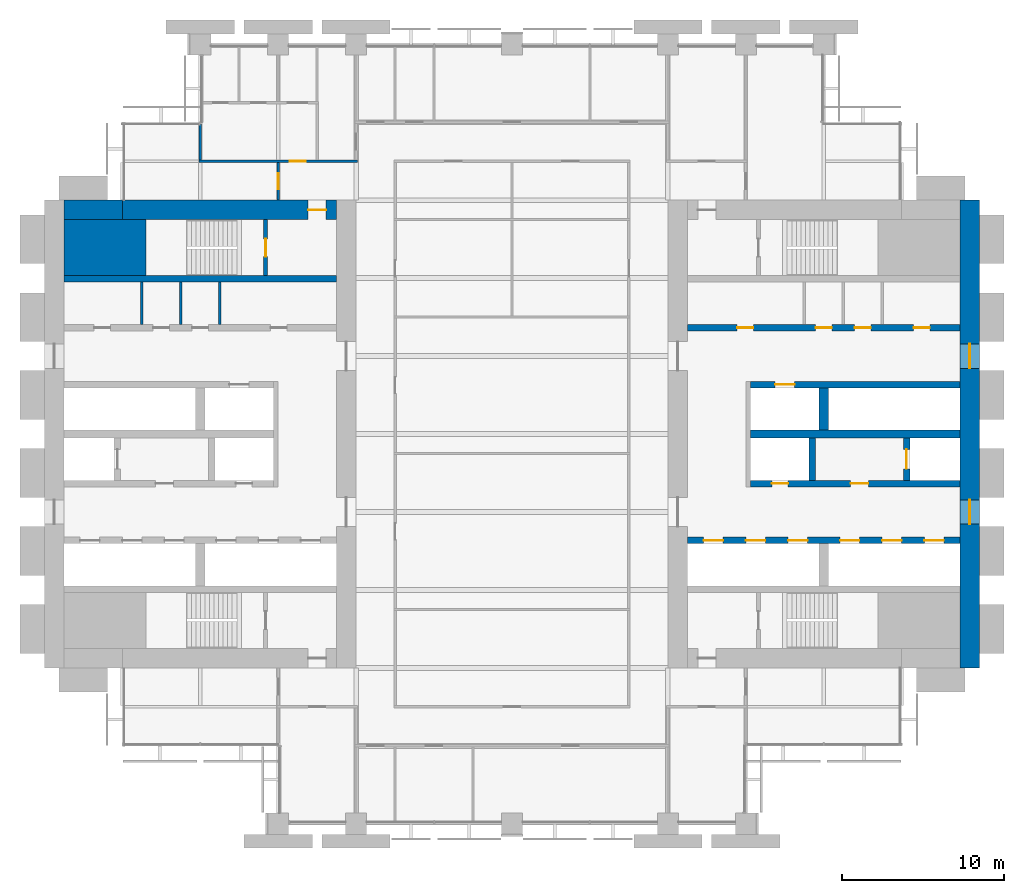
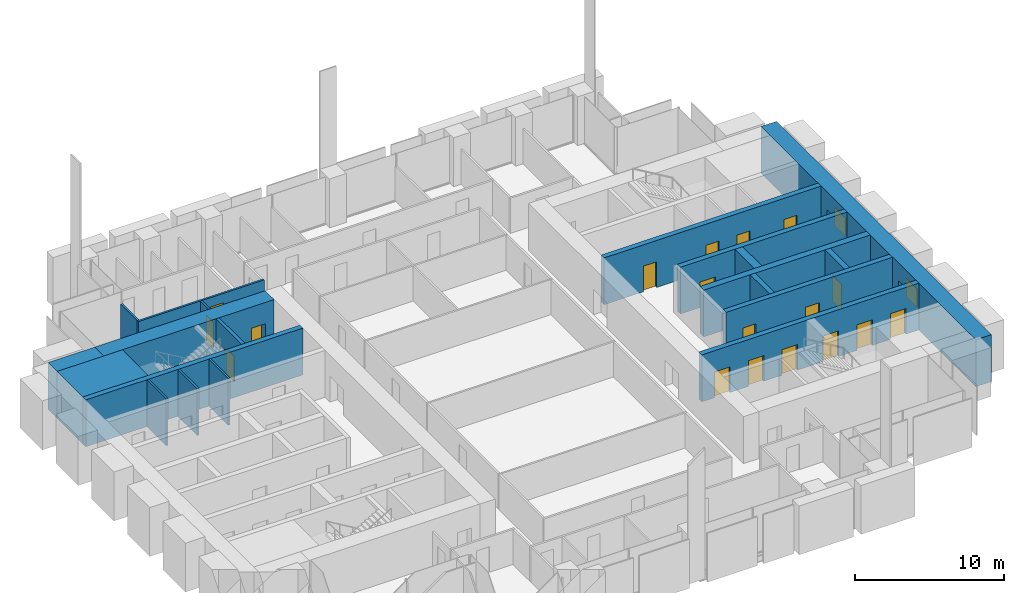
# One storey, part 11 of 14: 20 walls, 18 doors, 2 windows, 20 openings.
"""IFC4 building model written with IfcOpenShell, lengths in metres."""

from ifc_helpers import new_model, si_unit, direction, frame, frame_2d, origin, place, context, subcontext, project, spatial, rectangle, extrude, material, layer, layer_set, type_object, element, fill, save


model = new_model("IFC4")

# Units and contexts
model_context = context("Model", 3, precision=1e-05, world=origin(), true_north=direction((0.0, 1.0)))
body_context = subcontext(model_context, "Body", "Model", "MODEL_VIEW")
ifc_project = project(units=[si_unit("LENGTHUNIT", "METRE"), si_unit("AREAUNIT", "SQUARE_METRE"), si_unit("VOLUMEUNIT", "CUBIC_METRE"), si_unit("PLANEANGLEUNIT", "RADIAN"), si_unit("MASSUNIT", "GRAM", prefix="KILO")], contexts=[model_context])

# Site, building, storey
site_placement = place(None, origin())
site = spatial("IfcSite", under=ifc_project, at=site_placement, CompositionType="ELEMENT")
building_placement = place(site_placement, origin())
building = spatial("IfcBuilding", under=site, at=building_placement, Name="Baori Bourse Tower", CompositionType="ELEMENT")
storey_placement = place(building_placement, frame((0.0, 0.0, 63.0)))
storey = spatial("IfcBuildingStorey", under=building, at=storey_placement, Name="L13", CompositionType="ELEMENT", Elevation=63.0)

# Walls
ifc_material_1 = material(Name="Concrete f'c 70 MPa", Category="concrete")
wall_type_1 = type_object("IfcWallType", Name="Core corner block f'c 70", PredefinedType="SHEAR", material=ifc_material_1)
wall_1_placement = place(storey_placement, frame((1.199951171875, 35.47509765625, 0.0), z_axis=(0.0, 0.0, 1.0), x_axis=(1.0, 0.0, 0.0)))
element("IfcWall", 1, at=wall_1_placement, inside=storey, type_object=wall_type_1, Name="Core wall W22", PredefinedType="SHEAR", context=body_context, shape_type="SweptSolid", body=[
    extrude(rectangle(XDim=5.050048828125, YDim=3.449951171875, at=frame_2d((2.52490234375, 0.0))), origin(), (0.0, 0.0, 1.0), 3.840087890625),
])
ifc_material_2 = material(Name="Blockwork partition", Category="masonry")
ifc_layer_1 = layer(ifc_material_2, 0.14990234375)
ifc_layer_set_1 = layer_set([ifc_layer_1], Name="Core partition 150")
wall_type_2 = type_object("IfcWallType", Name="Core partition 150", PredefinedType="PARTITIONING", material=ifc_layer_set_1)
for number, where, z_axis, x_axis, name in (
    (2, (6.0, 30.75, 0.0), (0.0, 0.0, 1.0), (0.0, 1.0, 0.0), "Partition wall W18"),
    (3, (8.39990234375, 30.75, 0.0), (0.0, 0.0, 1.0), (0.0, 1.0, 0.0), "Partition wall W19"),
    (4, (10.800048828125, 30.75, 0.0), (0.0, 0.0, 1.0), (0.0, 1.0, 0.0), "Partition wall W20"),
):
    element("IfcWall", number, at=place(storey_placement, frame(where, z_axis=z_axis, x_axis=x_axis)), inside=storey, type_object=wall_type_2, Name=name, PredefinedType="PARTITIONING", context=body_context, shape_type="SweptSolid", body=[
        extrude(rectangle(XDim=2.60009765625, YDim=0.14990234375, at=frame_2d((1.300048828125, 0.0))), origin(), (0.0, 0.0, 1.0), 3.840087890625),
    ])
ifc_material_3 = material(Name="Concrete f'c 70 MPa", Category="concrete")
ifc_layer_2 = layer(ifc_material_3, 1.199951171875)
ifc_layer_set_2 = layer_set([ifc_layer_2], Name="Core wall 1200 f'c 70")
wall_type_3 = type_object("IfcWallType", Name="Core wall 1200 f'c 70", PredefinedType="SHEAR", material=ifc_layer_set_2)
wall_2_placement = place(storey_placement, frame((1.199951171875, 37.800048828125, 0.0), z_axis=(0.0, 0.0, 1.0), x_axis=(1.0, 0.0, 0.0)))
element("IfcWall", 5, at=wall_2_placement, inside=storey, type_object=wall_type_3, Name="Core wall W24", PredefinedType="SHEAR", context=body_context, shape_type="SweptSolid", body=[
    extrude(rectangle(XDim=3.60009765625, YDim=1.199951171875, at=frame_2d((1.800048828125, 0.0))), origin(), (0.0, 0.0, 1.0), 3.840087890625),
])

# Wall, opening, door
wall_3_placement = place(storey_placement, frame((4.800048828125, 37.800048828125, 0.0), z_axis=(0.0, 0.0, 1.0), x_axis=(1.0, 0.0, 0.0)))
wall_3 = element("IfcWall", 6, at=wall_3_placement, inside=storey, type_object=wall_type_3, Name="Core wall W25", PredefinedType="SHEAR", context=body_context, shape_type="SweptSolid", body=[
    extrude(rectangle(XDim=13.199951171875, YDim=1.199951171875, at=frame_2d((6.60009765625, 0.0))), origin(), (0.0, 0.0, 1.0), 3.840087890625),
])
opening_1_placement = place(wall_3_placement, frame((11.449951171875, 0.0, 0.0)))
opening_1 = element("IfcOpeningElement", 7, at=opening_1_placement, cuts=wall_3, Name="Opening L13-D104", PredefinedType="OPENING", context=body_context, shape_type="SweptSolid", body=[
    extrude(rectangle(XDim=1.10009765625, YDim=2.10009765625, at=frame_2d((0.550048828125, 1.050048828125))), frame((0.0, 0.60986328125, 0.0), z_axis=(0.0, -1.0, 0.0), x_axis=(1.0, 0.0, 0.0)), (0.0, 0.0, 1.0), 1.219970703125),
])
ifc_material_4 = material(Name="Painted steel door", Category="steel")
door_type_1 = type_object("IfcDoorType", Name="Stair door 1100", OperationType="SINGLE_SWING_LEFT", PredefinedType="DOOR", material=ifc_material_4)
door_1_placement = place(opening_1_placement, origin())
door_1 = element("IfcDoor", 8, at=door_1_placement, inside=storey, type_object=door_type_1, Name="Stair vestibule door B W L13", OperationType="SINGLE_SWING_LEFT", OverallHeight=2.10009765625, OverallWidth=1.10009765625, PredefinedType="DOOR", context=body_context, shape_type="SweptSolid", body=[
    extrude(rectangle(XDim=1.10009765625, YDim=2.10009765625, at=frame_2d((0.550048828125, 1.050048828125))), frame((0.0, 0.02490234375, 0.0), z_axis=(0.0, -1.0, 0.0), x_axis=(1.0, 0.0, 0.0)), (0.0, 0.0, 1.0), 0.050048828125),
])
fill(opening_1, door_1)

# Wall, openings, windows
wall_4_placement = place(storey_placement, frame((57.0, 38.39990234375, 0.0), z_axis=(0.0, 0.0, 1.0), x_axis=(0.0, -1.0, 0.0)))
wall_4 = element("IfcWall", 9, at=wall_4_placement, inside=storey, type_object=wall_type_3, Name="Core wall E01", PredefinedType="SHEAR", context=body_context, shape_type="SweptSolid", body=[
    extrude(rectangle(XDim=28.7998046875, YDim=1.199951171875, at=frame_2d((14.39990234375, 0.0))), origin(), (0.0, 0.0, 1.0), 3.840087890625),
])
opening_2_placement = place(wall_4_placement, frame((18.449951171875, 0.0, 0.89990234375)))
opening_2 = element("IfcOpeningElement", 10, at=opening_2_placement, cuts=wall_4, Name="Opening L13-KW201", PredefinedType="OPENING", context=body_context, shape_type="SweptSolid", body=[
    extrude(rectangle(XDim=1.5, YDim=1.5, at=frame_2d((0.75, 0.75))), frame((0.0, 0.60986328125, 0.0), z_axis=(0.0, -1.0, 0.0), x_axis=(1.0, 0.0, 0.0)), (0.0, 0.0, 1.0), 1.219970703125),
])
opening_3_placement = place(wall_4_placement, frame((8.85009765625, 0.0, 0.89990234375)))
opening_3 = element("IfcOpeningElement", 11, at=opening_3_placement, cuts=wall_4, Name="Opening L13-KW202", PredefinedType="OPENING", context=body_context, shape_type="SweptSolid", body=[
    extrude(rectangle(XDim=1.5, YDim=1.5, at=frame_2d((0.75, 0.75))), frame((0.0, 0.60986328125, 0.0), z_axis=(0.0, -1.0, 0.0), x_axis=(1.0, 0.0, 0.0)), (0.0, 0.0, 1.0), 1.219970703125),
])
ifc_material_5 = material(Name="Pale anodised aluminium", Category="aluminium")
window_type = type_object("IfcWindowType", Name="Lobby window 1500 x 1500", PartitioningType="SINGLE_PANEL", PredefinedType="WINDOW", material=ifc_material_5)
window_1_placement = place(opening_2_placement, origin())
window_1 = element("IfcWindow", 12, at=window_1_placement, inside=storey, type_object=window_type, Name="Outer wall window E L13 1", OverallHeight=1.5, OverallWidth=1.5, PartitioningType="SINGLE_PANEL", PredefinedType="WINDOW", context=body_context, shape_type="SweptSolid", body=[
    extrude(rectangle(XDim=1.5, YDim=1.5, at=frame_2d((0.75, 0.75))), frame((0.0, 0.030029296875, 0.0), z_axis=(0.0, -1.0, 0.0), x_axis=(1.0, 0.0, 0.0)), (0.0, 0.0, 1.0), 0.06005859375),
])
fill(opening_2, window_1)
window_2_placement = place(opening_3_placement, origin())
window_2 = element("IfcWindow", 13, at=window_2_placement, inside=storey, type_object=window_type, Name="Outer wall window E L13 2", OverallHeight=1.5, OverallWidth=1.5, PartitioningType="SINGLE_PANEL", PredefinedType="WINDOW", context=body_context, shape_type="SweptSolid", body=[
    extrude(rectangle(XDim=1.5, YDim=1.5, at=frame_2d((0.75, 0.75))), frame((0.0, 0.030029296875, 0.0), z_axis=(0.0, -1.0, 0.0), x_axis=(1.0, 0.0, 0.0)), (0.0, 0.0, 1.0), 0.06005859375),
])
fill(opening_3, window_2)

# Wall, opening, door
ifc_material_6 = material(Name="Gypsum board partition")
ifc_layer_3 = layer(ifc_material_6, 0.14990234375)
ifc_layer_set_3 = layer_set([ifc_layer_3], Name="Corridor partition 150")
wall_type_4 = type_object("IfcWallType", Name="Corridor partition 150", PredefinedType="PARTITIONING", material=ifc_layer_set_3)
wall_5_placement = place(storey_placement, frame((9.52490234375, 40.800048828125, 0.0), z_axis=(0.0, 0.0, 1.0), x_axis=(1.0, 0.0, 0.0)))
wall_5 = element("IfcWall", 14, at=wall_5_placement, inside=storey, type_object=wall_type_4, Name="Partition", PredefinedType="PARTITIONING", context=body_context, shape_type="SweptSolid", body=[
    extrude(rectangle(XDim=9.75, YDim=0.14990234375, at=frame_2d((4.875, 0.0))), origin(), (0.0, 0.0, 1.0), 2.86962890625),
])
opening_4_placement = place(wall_5_placement, frame((5.574951171875, 0.0, 0.0)))
opening_4 = element("IfcOpeningElement", 15, at=opening_4_placement, cuts=wall_5, Name="Opening L13-D07", PredefinedType="OPENING", context=body_context, shape_type="SweptSolid", body=[
    extrude(rectangle(XDim=1.0, YDim=2.10009765625, at=frame_2d((0.5, 1.050048828125))), frame((0.0, 0.0849609375, 0.0), z_axis=(0.0, -1.0, 0.0), x_axis=(1.0, 0.0, 0.0)), (0.0, 0.0, 1.0), 0.169921875),
])
ifc_material_7 = material(Name="Timber door leaf", Category="wood")
door_type_2 = type_object("IfcDoorType", Name="Door 1000 x 2100", OperationType="SINGLE_SWING_LEFT", PredefinedType="DOOR", material=ifc_material_7)
door_2_placement = place(opening_4_placement, origin())
door_2 = element("IfcDoor", 16, at=door_2_placement, inside=storey, type_object=door_type_2, Name="Door", OperationType="SINGLE_SWING_RIGHT", OverallHeight=2.10009765625, OverallWidth=1.0, PredefinedType="DOOR", context=body_context, shape_type="SweptSolid", body=[
    extrude(rectangle(XDim=1.0, YDim=2.10009765625, at=frame_2d((0.5, 1.050048828125))), frame((0.0, 0.02490234375, 0.0), z_axis=(0.0, -1.0, 0.0), x_axis=(1.0, 0.0, 0.0)), (0.0, 0.0, 1.0), 0.050048828125),
])
fill(opening_4, door_2)

# Wall
wall_6_placement = place(storey_placement, frame((9.60009765625, 40.875, 0.0), z_axis=(0.0, 0.0, 1.0), x_axis=(0.0, 1.0, 0.0)))
element("IfcWall", 17, at=wall_6_placement, inside=storey, type_object=wall_type_4, Name="Partition", PredefinedType="PARTITIONING", context=body_context, shape_type="SweptSolid", body=[
    extrude(rectangle(XDim=2.22509765625, YDim=0.14990234375, at=frame_2d((1.112548828125, 0.0))), origin(), (0.0, 0.0, 1.0), 2.86962890625),
])

# Wall, opening, door
wall_7_placement = place(storey_placement, frame((14.39990234375, 38.39990234375, 0.0), z_axis=(0.0, 0.0, 1.0), x_axis=(0.0, 1.0, 0.0)))
wall_7 = element("IfcWall", 18, at=wall_7_placement, inside=storey, type_object=wall_type_4, Name="Partition", PredefinedType="PARTITIONING", context=body_context, shape_type="SweptSolid", body=[
    extrude(rectangle(XDim=2.3251953125, YDim=0.14990234375, at=frame_2d((1.16259765625, 0.0))), origin(), (0.0, 0.0, 1.0), 2.86962890625),
])
opening_5_placement = place(wall_7_placement, frame((0.66259765625, 0.0, 0.0)))
opening_5 = element("IfcOpeningElement", 19, at=opening_5_placement, cuts=wall_7, Name="Opening L13-D19", PredefinedType="OPENING", context=body_context, shape_type="SweptSolid", body=[
    extrude(rectangle(XDim=1.0, YDim=2.10009765625, at=frame_2d((0.5, 1.050048828125))), frame((0.0, 0.0849609375, 0.0), z_axis=(0.0, -1.0, 0.0), x_axis=(1.0, 0.0, 0.0)), (0.0, 0.0, 1.0), 0.169921875),
])
door_3_placement = place(opening_5_placement, origin())
door_3 = element("IfcDoor", 20, at=door_3_placement, inside=storey, type_object=door_type_2, Name="Door", OperationType="SINGLE_SWING_RIGHT", OverallHeight=2.10009765625, OverallWidth=1.0, PredefinedType="DOOR", context=body_context, shape_type="SweptSolid", body=[
    extrude(rectangle(XDim=1.0, YDim=2.10009765625, at=frame_2d((0.5, 1.050048828125))), frame((0.0, 0.02490234375, 0.0), z_axis=(0.0, -1.0, 0.0), x_axis=(1.0, 0.0, 0.0)), (0.0, 0.0, 1.0), 0.050048828125),
])
fill(opening_5, door_3)

ifc_material_8 = material(Name="Concrete f'c 70 MPa", Category="concrete")
ifc_layer_4 = layer(ifc_material_8, 0.25)
ifc_layer_set_4 = layer_set([ifc_layer_4], Name="Shaft wall 250 f'c 70")
wall_type_5 = type_object("IfcWallType", Name="Shaft wall 250 f'c 70", PredefinedType="SHEAR", material=ifc_layer_set_4)
wall_8_placement = place(storey_placement, frame((13.625, 33.75, 0.0), z_axis=(0.0, 0.0, 1.0), x_axis=(0.0, 1.0, 0.0)))
wall_8 = element("IfcWall", 21, at=wall_8_placement, inside=storey, type_object=wall_type_5, Name="Core wall W23", PredefinedType="SHEAR", context=body_context, shape_type="SweptSolid", body=[
    extrude(rectangle(XDim=3.449951171875, YDim=0.25, at=frame_2d((1.72509765625, 0.0))), origin(), (0.0, 0.0, 1.0), 3.840087890625),
])
opening_6_placement = place(wall_8_placement, frame((1.175048828125, 0.0, 0.0)))
opening_6 = element("IfcOpeningElement", 22, at=opening_6_placement, cuts=wall_8, Name="Opening L13-D103", PredefinedType="OPENING", context=body_context, shape_type="SweptSolid", body=[
    extrude(rectangle(XDim=1.10009765625, YDim=2.10009765625, at=frame_2d((0.550048828125, 1.050048828125))), frame((0.0, 0.135009765625, 0.0), z_axis=(0.0, -1.0, 0.0), x_axis=(1.0, 0.0, 0.0)), (0.0, 0.0, 1.0), 0.27001953125),
])
door_4_placement = place(opening_6_placement, origin())
door_4 = element("IfcDoor", 23, at=door_4_placement, inside=storey, type_object=door_type_1, Name="Stair door B W L13", OperationType="SINGLE_SWING_LEFT", OverallHeight=2.10009765625, OverallWidth=1.10009765625, PredefinedType="DOOR", context=body_context, shape_type="SweptSolid", body=[
    extrude(rectangle(XDim=1.10009765625, YDim=2.10009765625, at=frame_2d((0.550048828125, 1.050048828125))), frame((0.0, 0.02490234375, 0.0), z_axis=(0.0, -1.0, 0.0), x_axis=(1.0, 0.0, 0.0)), (0.0, 0.0, 1.0), 0.050048828125),
])
fill(opening_6, door_4)

# Wall
ifc_material_9 = material(Name="Concrete f'c 70 MPa", Category="concrete")
ifc_layer_5 = layer(ifc_material_9, 0.39990234375)
ifc_layer_set_5 = layer_set([ifc_layer_5], Name="Shaft wall 400 f'c 70")
wall_type_6 = type_object("IfcWallType", Name="Shaft wall 400 f'c 70", PredefinedType="SHEAR", material=ifc_layer_set_5)
wall_9_placement = place(storey_placement, frame((1.199951171875, 33.550048828125, 0.0), z_axis=(0.0, 0.0, 1.0), x_axis=(1.0, 0.0, 0.0)))
element("IfcWall", 24, at=wall_9_placement, inside=storey, type_object=wall_type_6, Name="Core wall W21", PredefinedType="SHEAR", context=body_context, shape_type="SweptSolid", body=[
    extrude(rectangle(XDim=16.800048828125, YDim=0.39990234375, at=frame_2d((8.39990234375, 0.0))), origin(), (0.0, 0.0, 1.0), 3.840087890625),
])

# Wall, openings, doors
wall_10_placement = place(storey_placement, frame((39.60009765625, 17.449951171875, 0.0), z_axis=(0.0, 0.0, 1.0), x_axis=(1.0, 0.0, 0.0)))
wall_10 = element("IfcWall", 25, at=wall_10_placement, inside=storey, type_object=wall_type_6, Name="Core wall E09", PredefinedType="SHEAR", context=body_context, shape_type="SweptSolid", body=[
    extrude(rectangle(XDim=16.7998046875, YDim=0.39990234375, at=frame_2d((8.39990234375, 0.0))), origin(), (0.0, 0.0, 1.0), 3.840087890625),
])
opening_7_placement = place(wall_10_placement, frame((14.60009765625, 0.0, 0.0)))
opening_7 = element("IfcOpeningElement", 26, at=opening_7_placement, cuts=wall_10, Name="Opening L13-D213", PredefinedType="OPENING", context=body_context, shape_type="SweptSolid", body=[
    extrude(rectangle(XDim=1.199951171875, YDim=2.10009765625, at=frame_2d((0.60009765625, 1.050048828125))), frame((0.0, 0.2099609375, 0.0), z_axis=(0.0, -1.0, 0.0), x_axis=(1.0, 0.0, 0.0)), (0.0, 0.0, 1.0), 0.419921875),
])
opening_8_placement = place(wall_10_placement, frame((12.0, 0.0, 0.0)))
opening_8 = element("IfcOpeningElement", 27, at=opening_8_placement, cuts=wall_10, Name="Opening L13-D214", PredefinedType="OPENING", context=body_context, shape_type="SweptSolid", body=[
    extrude(rectangle(XDim=1.199951171875, YDim=2.10009765625, at=frame_2d((0.60009765625, 1.050048828125))), frame((0.0, 0.2099609375, 0.0), z_axis=(0.0, -1.0, 0.0), x_axis=(1.0, 0.0, 0.0)), (0.0, 0.0, 1.0), 0.419921875),
])
opening_9_placement = place(wall_10_placement, frame((9.39990234375, 0.0, 0.0)))
opening_9 = element("IfcOpeningElement", 28, at=opening_9_placement, cuts=wall_10, Name="Opening L13-D215", PredefinedType="OPENING", context=body_context, shape_type="SweptSolid", body=[
    extrude(rectangle(XDim=1.199951171875, YDim=2.10009765625, at=frame_2d((0.60009765625, 1.050048828125))), frame((0.0, 0.2099609375, 0.0), z_axis=(0.0, -1.0, 0.0), x_axis=(1.0, 0.0, 0.0)), (0.0, 0.0, 1.0), 0.419921875),
])
opening_10_placement = place(wall_10_placement, frame((6.199951171875, 0.0, 0.0)))
opening_10 = element("IfcOpeningElement", 29, at=opening_10_placement, cuts=wall_10, Name="Opening L13-D216", PredefinedType="OPENING", context=body_context, shape_type="SweptSolid", body=[
    extrude(rectangle(XDim=1.199951171875, YDim=2.10009765625, at=frame_2d((0.60009765625, 1.050048828125))), frame((0.0, 0.2099609375, 0.0), z_axis=(0.0, -1.0, 0.0), x_axis=(1.0, 0.0, 0.0)), (0.0, 0.0, 1.0), 0.419921875),
])
opening_11_placement = place(wall_10_placement, frame((3.60009765625, 0.0, 0.0)))
opening_11 = element("IfcOpeningElement", 30, at=opening_11_placement, cuts=wall_10, Name="Opening L13-D217", PredefinedType="OPENING", context=body_context, shape_type="SweptSolid", body=[
    extrude(rectangle(XDim=1.199951171875, YDim=2.10009765625, at=frame_2d((0.60009765625, 1.050048828125))), frame((0.0, 0.2099609375, 0.0), z_axis=(0.0, -1.0, 0.0), x_axis=(1.0, 0.0, 0.0)), (0.0, 0.0, 1.0), 0.419921875),
])
opening_12_placement = place(wall_10_placement, frame((1.0, 0.0, 0.0)))
opening_12 = element("IfcOpeningElement", 31, at=opening_12_placement, cuts=wall_10, Name="Opening L13-D218", PredefinedType="OPENING", context=body_context, shape_type="SweptSolid", body=[
    extrude(rectangle(XDim=1.199951171875, YDim=2.10009765625, at=frame_2d((0.60009765625, 1.050048828125))), frame((0.0, 0.2099609375, 0.0), z_axis=(0.0, -1.0, 0.0), x_axis=(1.0, 0.0, 0.0)), (0.0, 0.0, 1.0), 0.419921875),
])
ifc_material_10 = material(Name="Stainless steel door", Category="steel")
door_type_3 = type_object("IfcDoorType", Name="Lift landing door", OperationType="DOUBLE_DOOR_SLIDING", PredefinedType="DOOR", material=ifc_material_10)
door_5_placement = place(opening_7_placement, origin())
door_5 = element("IfcDoor", 32, at=door_5_placement, inside=storey, type_object=door_type_3, Name="Lift landing door LR1 E L13", OperationType="DOUBLE_DOOR_SLIDING", OverallHeight=2.10009765625, OverallWidth=1.199951171875, PredefinedType="DOOR", context=body_context, shape_type="SweptSolid", body=[
    extrude(rectangle(XDim=1.199951171875, YDim=2.10009765625, at=frame_2d((0.60009765625, 1.050048828125))), frame((0.0, 0.02490234375, 0.0), z_axis=(0.0, -1.0, 0.0), x_axis=(1.0, 0.0, 0.0)), (0.0, 0.0, 1.0), 0.050048828125),
])
fill(opening_7, door_5)
door_6_placement = place(opening_8_placement, origin())
door_6 = element("IfcDoor", 33, at=door_6_placement, inside=storey, type_object=door_type_3, Name="Lift landing door LR2 E L13", OperationType="DOUBLE_DOOR_SLIDING", OverallHeight=2.10009765625, OverallWidth=1.199951171875, PredefinedType="DOOR", context=body_context, shape_type="SweptSolid", body=[
    extrude(rectangle(XDim=1.199951171875, YDim=2.10009765625, at=frame_2d((0.60009765625, 1.050048828125))), frame((0.0, 0.02490234375, 0.0), z_axis=(0.0, -1.0, 0.0), x_axis=(1.0, 0.0, 0.0)), (0.0, 0.0, 1.0), 0.050048828125),
])
fill(opening_8, door_6)
door_7_placement = place(opening_9_placement, origin())
door_7 = element("IfcDoor", 34, at=door_7_placement, inside=storey, type_object=door_type_3, Name="Lift landing door LR3 E L13", OperationType="DOUBLE_DOOR_SLIDING", OverallHeight=2.10009765625, OverallWidth=1.199951171875, PredefinedType="DOOR", context=body_context, shape_type="SweptSolid", body=[
    extrude(rectangle(XDim=1.199951171875, YDim=2.10009765625, at=frame_2d((0.60009765625, 1.050048828125))), frame((0.0, 0.02490234375, 0.0), z_axis=(0.0, -1.0, 0.0), x_axis=(1.0, 0.0, 0.0)), (0.0, 0.0, 1.0), 0.050048828125),
])
fill(opening_9, door_7)
door_8_placement = place(opening_10_placement, origin())
door_8 = element("IfcDoor", 35, at=door_8_placement, inside=storey, type_object=door_type_3, Name="Lift landing door LR4 E L13", OperationType="DOUBLE_DOOR_SLIDING", OverallHeight=2.10009765625, OverallWidth=1.199951171875, PredefinedType="DOOR", context=body_context, shape_type="SweptSolid", body=[
    extrude(rectangle(XDim=1.199951171875, YDim=2.10009765625, at=frame_2d((0.60009765625, 1.050048828125))), frame((0.0, 0.02490234375, 0.0), z_axis=(0.0, -1.0, 0.0), x_axis=(1.0, 0.0, 0.0)), (0.0, 0.0, 1.0), 0.050048828125),
])
fill(opening_10, door_8)
door_9_placement = place(opening_11_placement, origin())
door_9 = element("IfcDoor", 36, at=door_9_placement, inside=storey, type_object=door_type_3, Name="Lift landing door LR5 E L13", OperationType="DOUBLE_DOOR_SLIDING", OverallHeight=2.10009765625, OverallWidth=1.199951171875, PredefinedType="DOOR", context=body_context, shape_type="SweptSolid", body=[
    extrude(rectangle(XDim=1.199951171875, YDim=2.10009765625, at=frame_2d((0.60009765625, 1.050048828125))), frame((0.0, 0.02490234375, 0.0), z_axis=(0.0, -1.0, 0.0), x_axis=(1.0, 0.0, 0.0)), (0.0, 0.0, 1.0), 0.050048828125),
])
fill(opening_11, door_9)
door_10_placement = place(opening_12_placement, origin())
door_10 = element("IfcDoor", 37, at=door_10_placement, inside=storey, type_object=door_type_3, Name="Lift landing door LR6 E L13", OperationType="DOUBLE_DOOR_SLIDING", OverallHeight=2.10009765625, OverallWidth=1.199951171875, PredefinedType="DOOR", context=body_context, shape_type="SweptSolid", body=[
    extrude(rectangle(XDim=1.199951171875, YDim=2.10009765625, at=frame_2d((0.60009765625, 1.050048828125))), frame((0.0, 0.02490234375, 0.0), z_axis=(0.0, -1.0, 0.0), x_axis=(1.0, 0.0, 0.0)), (0.0, 0.0, 1.0), 0.050048828125),
])
fill(opening_12, door_10)

wall_11_placement = place(storey_placement, frame((43.5, 20.949951171875, 0.0), z_axis=(0.0, 0.0, 1.0), x_axis=(1.0, 0.0, 0.0)))
wall_11 = element("IfcWall", 38, at=wall_11_placement, inside=storey, type_object=wall_type_6, Name="Core wall E10", PredefinedType="SHEAR", context=body_context, shape_type="SweptSolid", body=[
    extrude(rectangle(XDim=12.89990234375, YDim=0.39990234375, at=frame_2d((6.449951171875, 0.0))), origin(), (0.0, 0.0, 1.0), 3.840087890625),
])
opening_13_placement = place(wall_11_placement, frame((6.14990234375, 0.0, 0.0)))
opening_13 = element("IfcOpeningElement", 39, at=opening_13_placement, cuts=wall_11, Name="Opening L13-D205", PredefinedType="OPENING", context=body_context, shape_type="SweptSolid", body=[
    extrude(rectangle(XDim=1.10009765625, YDim=2.10009765625, at=frame_2d((0.550048828125, 1.050048828125))), frame((0.0, 0.2099609375, 0.0), z_axis=(0.0, -1.0, 0.0), x_axis=(1.0, 0.0, 0.0)), (0.0, 0.0, 1.0), 0.419921875),
])
opening_14_placement = place(wall_11_placement, frame((1.300048828125, 0.0, 0.0)))
opening_14 = element("IfcOpeningElement", 40, at=opening_14_placement, cuts=wall_11, Name="Opening L13-D206", PredefinedType="OPENING", context=body_context, shape_type="SweptSolid", body=[
    extrude(rectangle(XDim=1.0, YDim=2.10009765625, at=frame_2d((0.5, 1.050048828125))), frame((0.0, 0.2099609375, 0.0), z_axis=(0.0, -1.0, 0.0), x_axis=(1.0, 0.0, 0.0)), (0.0, 0.0, 1.0), 0.419921875),
])
ifc_material_11 = material(Name="Painted steel door", Category="steel")
door_type_4 = type_object("IfcDoorType", Name="Lobby door 1100", OperationType="SINGLE_SWING_LEFT", PredefinedType="DOOR", material=ifc_material_11)
door_11_placement = place(opening_13_placement, origin())
door_11 = element("IfcDoor", 41, at=door_11_placement, inside=storey, type_object=door_type_4, Name="Firefighting lobby door E L13", OperationType="SINGLE_SWING_LEFT", OverallHeight=2.10009765625, OverallWidth=1.10009765625, PredefinedType="DOOR", context=body_context, shape_type="SweptSolid", body=[
    extrude(rectangle(XDim=1.10009765625, YDim=2.10009765625, at=frame_2d((0.550048828125, 1.050048828125))), frame((0.0, 0.02490234375, 0.0), z_axis=(0.0, -1.0, 0.0), x_axis=(1.0, 0.0, 0.0)), (0.0, 0.0, 1.0), 0.050048828125),
])
fill(opening_13, door_11)
ifc_material_12 = material(Name="Painted steel door", Category="steel")
door_type_5 = type_object("IfcDoorType", Name="Shaft door 1000", OperationType="SINGLE_SWING_LEFT", PredefinedType="DOOR", material=ifc_material_12)
door_12_placement = place(opening_14_placement, origin())
door_12 = element("IfcDoor", 42, at=door_12_placement, inside=storey, type_object=door_type_5, Name="Riser room door E L13", OperationType="SINGLE_SWING_LEFT", OverallHeight=2.10009765625, OverallWidth=1.0, PredefinedType="DOOR", context=body_context, shape_type="SweptSolid", body=[
    extrude(rectangle(XDim=1.0, YDim=2.10009765625, at=frame_2d((0.5, 1.050048828125))), frame((0.0, 0.02490234375, 0.0), z_axis=(0.0, -1.0, 0.0), x_axis=(1.0, 0.0, 0.0)), (0.0, 0.0, 1.0), 0.050048828125),
])
fill(opening_14, door_12)

# Wall, opening, door
wall_12_placement = place(storey_placement, frame((53.10009765625, 21.14990234375, 0.0), z_axis=(0.0, 0.0, 1.0), x_axis=(0.0, 1.0, 0.0)))
wall_12 = element("IfcWall", 43, at=wall_12_placement, inside=storey, type_object=wall_type_6, Name="Core wall E12", PredefinedType="SHEAR", context=body_context, shape_type="SweptSolid", body=[
    extrude(rectangle(XDim=2.60009765625, YDim=0.39990234375, at=frame_2d((1.300048828125, 0.0))), origin(), (0.0, 0.0, 1.0), 3.840087890625),
])
opening_15_placement = place(wall_12_placement, frame((0.699951171875, 0.0, 0.0)))
opening_15 = element("IfcOpeningElement", 44, at=opening_15_placement, cuts=wall_12, Name="Opening L13-D220", PredefinedType="OPENING", context=body_context, shape_type="SweptSolid", body=[
    extrude(rectangle(XDim=1.199951171875, YDim=2.10009765625, at=frame_2d((0.60009765625, 1.050048828125))), frame((0.0, 0.2099609375, 0.0), z_axis=(0.0, -1.0, 0.0), x_axis=(1.0, 0.0, 0.0)), (0.0, 0.0, 1.0), 0.419921875),
])
door_13_placement = place(opening_15_placement, origin())
door_13 = element("IfcDoor", 45, at=door_13_placement, inside=storey, type_object=door_type_3, Name="Lift landing door FF2 E L13", OperationType="DOUBLE_DOOR_SLIDING", OverallHeight=2.10009765625, OverallWidth=1.199951171875, PredefinedType="DOOR", context=body_context, shape_type="SweptSolid", body=[
    extrude(rectangle(XDim=1.199951171875, YDim=2.10009765625, at=frame_2d((0.60009765625, 1.050048828125))), frame((0.0, 0.02490234375, 0.0), z_axis=(0.0, -1.0, 0.0), x_axis=(1.0, 0.0, 0.0)), (0.0, 0.0, 1.0), 0.050048828125),
])
fill(opening_15, door_13)

# Wall
wall_13_placement = place(storey_placement, frame((47.300048828125, 21.14990234375, 0.0), z_axis=(0.0, 0.0, 1.0), x_axis=(0.0, 1.0, 0.0)))
element("IfcWall", 46, at=wall_13_placement, inside=storey, type_object=wall_type_6, Name="Core wall E13", PredefinedType="SHEAR", context=body_context, shape_type="SweptSolid", body=[
    extrude(rectangle(XDim=2.60009765625, YDim=0.39990234375, at=frame_2d((1.300048828125, 0.0))), origin(), (0.0, 0.0, 1.0), 3.840087890625),
])

# Wall, opening, door
wall_14_placement = place(storey_placement, frame((43.5, 27.050048828125, 0.0), z_axis=(0.0, 0.0, 1.0), x_axis=(1.0, 0.0, 0.0)))
wall_14 = element("IfcWall", 47, at=wall_14_placement, inside=storey, type_object=wall_type_6, Name="Core wall E16", PredefinedType="SHEAR", context=body_context, shape_type="SweptSolid", body=[
    extrude(rectangle(XDim=12.89990234375, YDim=0.39990234375, at=frame_2d((6.449951171875, 0.0))), origin(), (0.0, 0.0, 1.0), 3.840087890625),
])
opening_16_placement = place(wall_14_placement, frame((1.5, 0.0, 0.0)))
opening_16 = element("IfcOpeningElement", 48, at=opening_16_placement, cuts=wall_14, Name="Opening L13-D219", PredefinedType="OPENING", context=body_context, shape_type="SweptSolid", body=[
    extrude(rectangle(XDim=1.199951171875, YDim=2.10009765625, at=frame_2d((0.60009765625, 1.050048828125))), frame((0.0, 0.2099609375, 0.0), z_axis=(0.0, -1.0, 0.0), x_axis=(1.0, 0.0, 0.0)), (0.0, 0.0, 1.0), 0.419921875),
])
door_14_placement = place(opening_16_placement, origin())
door_14 = element("IfcDoor", 49, at=door_14_placement, inside=storey, type_object=door_type_3, Name="Lift landing door SV1 E L13", OperationType="DOUBLE_DOOR_SLIDING", OverallHeight=2.10009765625, OverallWidth=1.199951171875, PredefinedType="DOOR", context=body_context, shape_type="SweptSolid", body=[
    extrude(rectangle(XDim=1.199951171875, YDim=2.10009765625, at=frame_2d((0.60009765625, 1.050048828125))), frame((0.0, 0.02490234375, 0.0), z_axis=(0.0, -1.0, 0.0), x_axis=(1.0, 0.0, 0.0)), (0.0, 0.0, 1.0), 0.050048828125),
])
fill(opening_16, door_14)

# Wall, openings, doors
wall_15_placement = place(storey_placement, frame((39.60009765625, 30.550048828125, 0.0), z_axis=(0.0, 0.0, 1.0), x_axis=(1.0, 0.0, 0.0)))
wall_15 = element("IfcWall", 50, at=wall_15_placement, inside=storey, type_object=wall_type_6, Name="Core wall E17", PredefinedType="SHEAR", context=body_context, shape_type="SweptSolid", body=[
    extrude(rectangle(XDim=16.7998046875, YDim=0.39990234375, at=frame_2d((8.39990234375, 0.0))), origin(), (0.0, 0.0, 1.0), 3.840087890625),
])
opening_17_placement = place(wall_15_placement, frame((13.9375, 0.0, 0.0)))
opening_17 = element("IfcOpeningElement", 51, at=opening_17_placement, cuts=wall_15, Name="Opening L13-D209", PredefinedType="OPENING", context=body_context, shape_type="SweptSolid", body=[
    extrude(rectangle(XDim=1.0, YDim=2.10009765625, at=frame_2d((0.5, 1.050048828125))), frame((0.0, 0.2099609375, 0.0), z_axis=(0.0, -1.0, 0.0), x_axis=(1.0, 0.0, 0.0)), (0.0, 0.0, 1.0), 0.419921875),
])
opening_18_placement = place(wall_15_placement, frame((10.300048828125, 0.0, 0.0)))
opening_18 = element("IfcOpeningElement", 52, at=opening_18_placement, cuts=wall_15, Name="Opening L13-D210", PredefinedType="OPENING", context=body_context, shape_type="SweptSolid", body=[
    extrude(rectangle(XDim=1.0, YDim=2.10009765625, at=frame_2d((0.5, 1.050048828125))), frame((0.0, 0.2099609375, 0.0), z_axis=(0.0, -1.0, 0.0), x_axis=(1.0, 0.0, 0.0)), (0.0, 0.0, 1.0), 0.419921875),
])
opening_19_placement = place(wall_15_placement, frame((7.89990234375, 0.0, 0.0)))
opening_19 = element("IfcOpeningElement", 53, at=opening_19_placement, cuts=wall_15, Name="Opening L13-D211", PredefinedType="OPENING", context=body_context, shape_type="SweptSolid", body=[
    extrude(rectangle(XDim=1.0, YDim=2.10009765625, at=frame_2d((0.5, 1.050048828125))), frame((0.0, 0.2099609375, 0.0), z_axis=(0.0, -1.0, 0.0), x_axis=(1.0, 0.0, 0.0)), (0.0, 0.0, 1.0), 0.419921875),
])
opening_20_placement = place(wall_15_placement, frame((3.0625, 0.0, 0.0)))
opening_20 = element("IfcOpeningElement", 54, at=opening_20_placement, cuts=wall_15, Name="Opening L13-D212", PredefinedType="OPENING", context=body_context, shape_type="SweptSolid", body=[
    extrude(rectangle(XDim=1.0, YDim=2.10009765625, at=frame_2d((0.5, 1.050048828125))), frame((0.0, 0.2099609375, 0.0), z_axis=(0.0, -1.0, 0.0), x_axis=(1.0, 0.0, 0.0)), (0.0, 0.0, 1.0), 0.419921875),
])
ifc_material_13 = material(Name="Painted steel door", Category="steel")
door_type_6 = type_object("IfcDoorType", Name="Core door 1000", OperationType="SINGLE_SWING_LEFT", PredefinedType="DOOR", material=ifc_material_13)
door_15_placement = place(opening_17_placement, origin())
door_15 = element("IfcDoor", 55, at=door_15_placement, inside=storey, type_object=door_type_6, Name="Women'S Wc door E L13", OperationType="SINGLE_SWING_LEFT", OverallHeight=2.10009765625, OverallWidth=1.0, PredefinedType="DOOR", context=body_context, shape_type="SweptSolid", body=[
    extrude(rectangle(XDim=1.0, YDim=2.10009765625, at=frame_2d((0.5, 1.050048828125))), frame((0.0, 0.02490234375, 0.0), z_axis=(0.0, -1.0, 0.0), x_axis=(1.0, 0.0, 0.0)), (0.0, 0.0, 1.0), 0.050048828125),
])
fill(opening_17, door_15)
door_16_placement = place(opening_18_placement, origin())
door_16 = element("IfcDoor", 56, at=door_16_placement, inside=storey, type_object=door_type_6, Name="Accessible Wc door E L13", OperationType="SINGLE_SWING_LEFT", OverallHeight=2.10009765625, OverallWidth=1.0, PredefinedType="DOOR", context=body_context, shape_type="SweptSolid", body=[
    extrude(rectangle(XDim=1.0, YDim=2.10009765625, at=frame_2d((0.5, 1.050048828125))), frame((0.0, 0.02490234375, 0.0), z_axis=(0.0, -1.0, 0.0), x_axis=(1.0, 0.0, 0.0)), (0.0, 0.0, 1.0), 0.050048828125),
])
fill(opening_18, door_16)
door_17_placement = place(opening_20_placement, origin())
door_17 = element("IfcDoor", 57, at=door_17_placement, inside=storey, type_object=door_type_6, Name="Men'S Wc door E L13", OperationType="SINGLE_SWING_LEFT", OverallHeight=2.10009765625, OverallWidth=1.0, PredefinedType="DOOR", context=body_context, shape_type="SweptSolid", body=[
    extrude(rectangle(XDim=1.0, YDim=2.10009765625, at=frame_2d((0.5, 1.050048828125))), frame((0.0, 0.02490234375, 0.0), z_axis=(0.0, -1.0, 0.0), x_axis=(1.0, 0.0, 0.0)), (0.0, 0.0, 1.0), 0.050048828125),
])
fill(opening_20, door_17)
ifc_material_14 = material(Name="Painted steel door", Category="steel")
door_type_7 = type_object("IfcDoorType", Name="Plant room door 1000", OperationType="SINGLE_SWING_LEFT", PredefinedType="DOOR", material=ifc_material_14)
door_18_placement = place(opening_19_placement, origin())
door_18 = element("IfcDoor", 58, at=door_18_placement, inside=storey, type_object=door_type_7, Name="Plumbing Equipment Room door E L13", OperationType="SINGLE_SWING_LEFT", OverallHeight=2.10009765625, OverallWidth=1.0, PredefinedType="DOOR", context=body_context, shape_type="SweptSolid", body=[
    extrude(rectangle(XDim=1.0, YDim=2.10009765625, at=frame_2d((0.5, 1.050048828125))), frame((0.0, 0.02490234375, 0.0), z_axis=(0.0, -1.0, 0.0), x_axis=(1.0, 0.0, 0.0)), (0.0, 0.0, 1.0), 0.050048828125),
])
fill(opening_19, door_18)

# Walls
ifc_material_15 = material(Name="Concrete f'c 70 MPa", Category="concrete")
ifc_layer_6 = layer(ifc_material_15, 0.5)
ifc_layer_set_6 = layer_set([ifc_layer_6], Name="Shaft wall 500 f'c 70")
wall_type_7 = type_object("IfcWallType", Name="Shaft wall 500 f'c 70", PredefinedType="SHEAR", material=ifc_layer_set_6)
wall_16_placement = place(storey_placement, frame((43.5, 24.0, 0.0), z_axis=(0.0, 0.0, 1.0), x_axis=(1.0, 0.0, 0.0)))
element("IfcWall", 59, at=wall_16_placement, inside=storey, type_object=wall_type_7, Name="Core wall E14", PredefinedType="SHEAR", context=body_context, shape_type="SweptSolid", body=[
    extrude(rectangle(XDim=12.89990234375, YDim=0.5, at=frame_2d((6.449951171875, 0.0))), origin(), (0.0, 0.0, 1.0), 3.840087890625),
])
ifc_material_16 = material(Name="Concrete f'c 70 MPa", Category="concrete")
ifc_layer_7 = layer(ifc_material_16, 0.60009765625)
ifc_layer_set_7 = layer_set([ifc_layer_7], Name="Shaft wall 600 f'c 70")
wall_type_8 = type_object("IfcWallType", Name="Shaft wall 600 f'c 70", PredefinedType="SHEAR", material=ifc_layer_set_7)
wall_17_placement = place(storey_placement, frame((48.0, 24.25, 0.0), z_axis=(0.0, 0.0, 1.0), x_axis=(0.0, 1.0, 0.0)))
element("IfcWall", 60, at=wall_17_placement, inside=storey, type_object=wall_type_8, Name="Core wall E15", PredefinedType="SHEAR", context=body_context, shape_type="SweptSolid", body=[
    extrude(rectangle(XDim=2.60009765625, YDim=0.60009765625, at=frame_2d((1.300048828125, 0.0))), origin(), (0.0, 0.0, 1.0), 3.840087890625),
])

save(model, "model.ifc")
